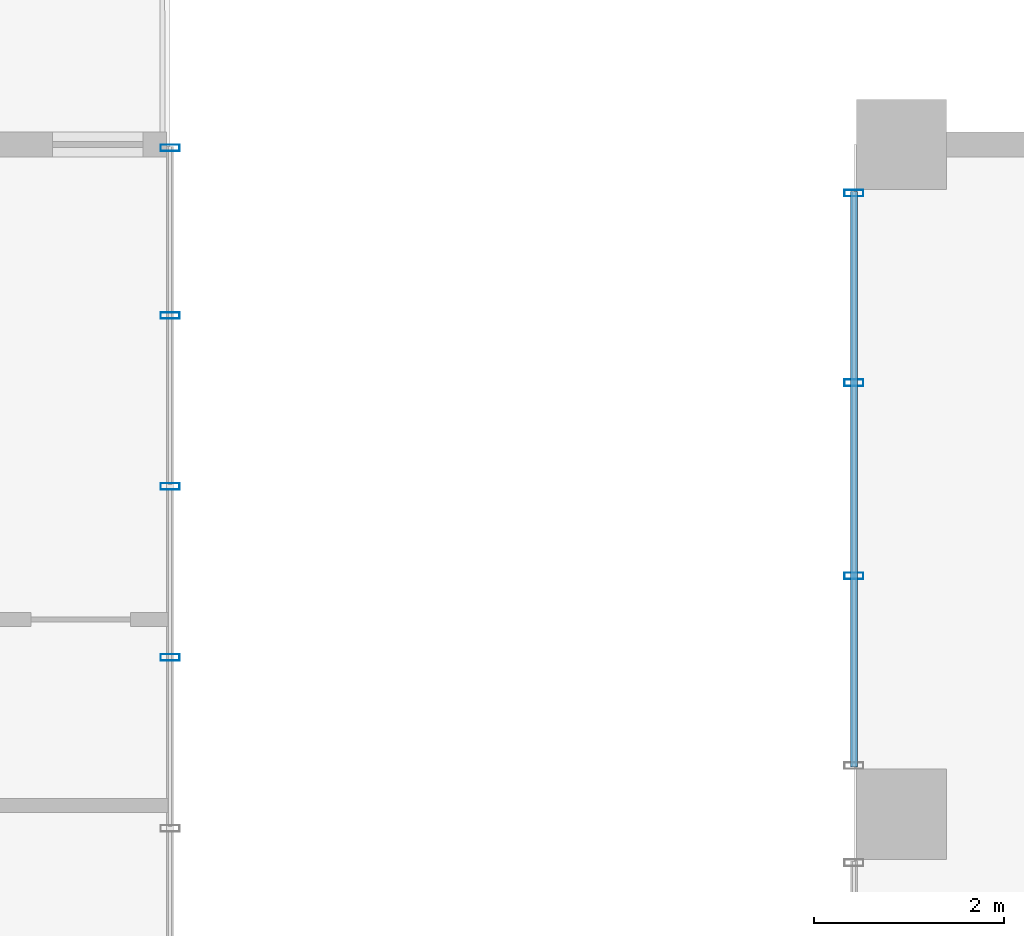
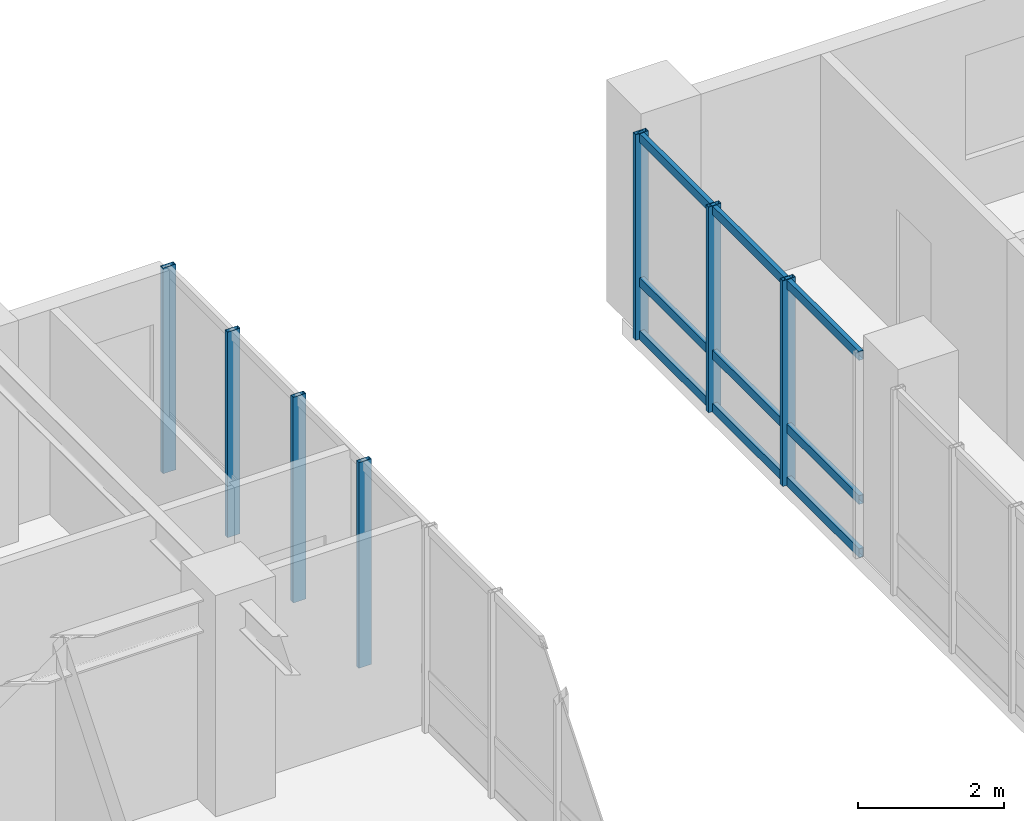
# One storey, part 14 of 24: 10 members, 2 elements without a shape of their own.
"""IFC4 building model written with IfcOpenShell, lengths in metres."""

from ifc_helpers import new_model, si_unit, direction, frame, origin, origin_2d, place, context, subcontext, project, spatial, hollow_rectangle, extrude, source, transform, mapped, material, layer, layer_set, material_profile, profile_set, type_object, element, aggregate, save


model = new_model("IFC4")

# Units and contexts
model_context = context("Model", 3, precision=1e-05, world=origin(), true_north=direction((0.0, 1.0)))
body_context = subcontext(model_context, "Body", "Model", "MODEL_VIEW")
ifc_project = project(units=[si_unit("LENGTHUNIT", "METRE"), si_unit("AREAUNIT", "SQUARE_METRE"), si_unit("VOLUMEUNIT", "CUBIC_METRE"), si_unit("PLANEANGLEUNIT", "RADIAN"), si_unit("MASSUNIT", "GRAM", prefix="KILO")], contexts=[model_context])

# Site, building, storey
site_placement = place(None, origin())
site = spatial("IfcSite", under=ifc_project, at=site_placement, CompositionType="ELEMENT")
building_placement = place(site_placement, origin())
building = spatial("IfcBuilding", under=site, at=building_placement, Name="Kaliganga Portal Commons", CompositionType="ELEMENT")
storey_placement = place(building_placement, frame((0.0, 0.0, 238.800048828125)))
storey = spatial("IfcBuildingStorey", under=building, at=storey_placement, Name="L61", CompositionType="ELEMENT", Elevation=238.800048828125)

# Curtain wall, members
ifc_material_1 = material(Name="Anodized Aluminium and Laminated Low-E Glass", Category="aluminium")
ifc_layer = layer(ifc_material_1, 0.239990234375)
ifc_layer_set = layer_set([ifc_layer], Name="Anodized Aluminium and Laminated Low-E Glass")
curtain_wall_type = type_object("IfcCurtainWallType", Name="CW-SYS-04", PredefinedType="NOTDEFINED", material=ifc_layer_set)
curtain_wall_1_placement = place(storey_placement, origin())
curtain_wall_1 = element("IfcCurtainWall", 1, at=curtain_wall_1_placement, inside=storey, type_object=curtain_wall_type, Name="CW 04 L61 P1E01S1", PredefinedType="NOTDEFINED")
ifc_material_2 = material(Name="Dark Bronze Anodized Aluminium", Category="aluminium")
ifc_material_profile_1 = material_profile(ifc_material_2, hollow_rectangle(XDim=0.070068359375, YDim=0.199951171875, WallThickness=0.00390625, at=origin_2d()), Name="ALU MULL 70x200x4")
ifc_profile_set_1 = profile_set([ifc_material_profile_1], Name="Dark Bronze Anodized Aluminium")
member_type_1 = type_object("IfcMemberType", Name="CW-MUL-220", PredefinedType="MULLION", material=ifc_profile_set_1)
shared_shape_1 = source(origin(), body_context, "Body", "SweptSolid", [
    extrude(hollow_rectangle(XDim=0.070068359375, YDim=0.199951171875, WallThickness=0.00390625, at=origin_2d()), origin(), (0.0, 0.0, 1.0), 3.43994140625),
])
member_1_placement = place(storey_placement, frame((39.10009765625, 37.800048828125, 0.0), z_axis=(0.0, 0.0, 1.0), x_axis=(0.0, 1.0, 0.0)))
member_1 = element("IfcMember", 2, at=member_1_placement, type_object=member_type_1, Name="CW:04:L61:P1E01S1 Mullion 09", PredefinedType="MULLION", context=body_context, shape_type="MappedRepresentation", body=[
    mapped(shared_shape_1, transform((0.0, 0.0, 0.0), x_axis=(1.0, 0.0, 0.0), y_axis=(0.0, 1.0, 0.0), z_axis=(0.0, 0.0, 1.0), scale=1.0)),
])
member_2_placement = place(storey_placement, frame((39.10009765625, 39.60009765625, 0.0), z_axis=(0.0, 0.0, 1.0), x_axis=(0.0, 1.0, 0.0)))
member_2 = element("IfcMember", 3, at=member_2_placement, type_object=member_type_1, Name="CW:04:L61:P1E01S1 Mullion 10", PredefinedType="MULLION", context=body_context, shape_type="MappedRepresentation", body=[
    mapped(shared_shape_1, transform((0.0, 0.0, 0.0), x_axis=(1.0, 0.0, 0.0), y_axis=(0.0, 1.0, 0.0), z_axis=(0.0, 0.0, 1.0), scale=1.0)),
])
member_3_placement = place(storey_placement, frame((39.10009765625, 41.39990234375, 0.0), z_axis=(0.0, 0.0, 1.0), x_axis=(0.0, 1.0, 0.0)))
member_3 = element("IfcMember", 4, at=member_3_placement, type_object=member_type_1, Name="CW:04:L61:P1E01S1 Mullion 11", PredefinedType="MULLION", context=body_context, shape_type="MappedRepresentation", body=[
    mapped(shared_shape_1, transform((0.0, 0.0, 0.0), x_axis=(1.0, 0.0, 0.0), y_axis=(0.0, 1.0, 0.0), z_axis=(0.0, 0.0, 1.0), scale=1.0)),
])
member_4_placement = place(storey_placement, frame((39.10009765625, 43.1650390625, 0.0), z_axis=(0.0, 0.0, 1.0), x_axis=(0.0, 1.0, 0.0)))
member_4 = element("IfcMember", 5, at=member_4_placement, type_object=member_type_1, Name="CW:04:L61:P1E01S1 Mullion 12", PredefinedType="MULLION", context=body_context, shape_type="MappedRepresentation", body=[
    mapped(shared_shape_1, transform((0.0, 0.0, 0.0), x_axis=(1.0, 0.0, 0.0), y_axis=(0.0, 1.0, 0.0), z_axis=(0.0, 0.0, 1.0), scale=1.0)),
])
aggregate(curtain_wall_1, [member_1, member_2, member_3, member_4])

curtain_wall_2_placement = place(storey_placement, origin())
curtain_wall_2 = element("IfcCurtainWall", 6, at=curtain_wall_2_placement, inside=storey, type_object=curtain_wall_type, Name="CW 04 L61 P2E03S1", PredefinedType="NOTDEFINED")
member_5_placement = place(storey_placement, frame((46.300048828125, 42.68896484375, 0.0), z_axis=(0.0, 0.0, 1.0), x_axis=(0.0, -1.0, 0.0)))
member_5 = element("IfcMember", 7, at=member_5_placement, type_object=member_type_1, Name="CW:04:L61:P2E03S1 Mullion 00", PredefinedType="MULLION", context=body_context, shape_type="MappedRepresentation", body=[
    mapped(shared_shape_1, transform((0.0, 0.0, 0.0), x_axis=(1.0, 0.0, 0.0), y_axis=(0.0, 1.0, 0.0), z_axis=(0.0, 0.0, 1.0), scale=1.0)),
])
member_6_placement = place(storey_placement, frame((46.300048828125, 40.69140625, 0.0), z_axis=(0.0, 0.0, 1.0), x_axis=(0.0, -1.0, 0.0)))
member_6 = element("IfcMember", 8, at=member_6_placement, type_object=member_type_1, Name="CW:04:L61:P2E03S1 Mullion 01", PredefinedType="MULLION", context=body_context, shape_type="MappedRepresentation", body=[
    mapped(shared_shape_1, transform((0.0, 0.0, 0.0), x_axis=(1.0, 0.0, 0.0), y_axis=(0.0, 1.0, 0.0), z_axis=(0.0, 0.0, 1.0), scale=1.0)),
])
member_7_placement = place(storey_placement, frame((46.300048828125, 38.65869140625, 0.0), z_axis=(0.0, 0.0, 1.0), x_axis=(0.0, -1.0, 0.0)))
member_7 = element("IfcMember", 9, at=member_7_placement, type_object=member_type_1, Name="CW:04:L61:P2E03S1 Mullion 02", PredefinedType="MULLION", context=body_context, shape_type="MappedRepresentation", body=[
    mapped(shared_shape_1, transform((0.0, 0.0, 0.0), x_axis=(1.0, 0.0, 0.0), y_axis=(0.0, 1.0, 0.0), z_axis=(0.0, 0.0, 1.0), scale=1.0)),
])
ifc_material_profile_2 = material_profile(ifc_material_2, hollow_rectangle(XDim=0.070068359375, YDim=0.14990234375, WallThickness=0.00341796875, at=origin_2d()), Name="ALU TRAN 70x150x3.5")
ifc_profile_set_2 = profile_set([ifc_material_profile_2], Name="Dark Bronze Anodized Aluminium")
member_type_2 = type_object("IfcMemberType", Name="CW-TRN-150", PredefinedType="USERDEFINED", material=ifc_profile_set_2)
shared_shape_2 = source(origin(), body_context, "Body", "SweptSolid", [
    extrude(hollow_rectangle(XDim=0.070068359375, YDim=0.14990234375, WallThickness=0.00341796875, at=origin_2d()), origin(), (0.0, 0.0, 1.0), 6.05810546875),
])
member_8_placement = place(storey_placement, frame((46.300048828125, 42.7041015625, 0.06005859375), z_axis=(0.0, -1.0, 0.0), x_axis=(1.0, 0.0, 0.0)))
member_8 = element("IfcMember", 10, at=member_8_placement, type_object=member_type_2, Name="CW:04:L61:P2E03S1 Transom 1", ObjectType="TRANSOM", PredefinedType="USERDEFINED", context=body_context, shape_type="MappedRepresentation", body=[
    mapped(shared_shape_2, transform((0.0, 0.0, 0.0), x_axis=(1.0, 0.0, 0.0), y_axis=(0.0, 1.0, 0.0), z_axis=(0.0, 0.0, 1.0), scale=1.0)),
])
member_9_placement = place(storey_placement, frame((46.300048828125, 42.7041015625, 0.949951171875), z_axis=(0.0, -1.0, 0.0), x_axis=(1.0, 0.0, 0.0)))
member_9 = element("IfcMember", 11, at=member_9_placement, type_object=member_type_2, Name="CW:04:L61:P2E03S1 Transom 2", ObjectType="TRANSOM", PredefinedType="USERDEFINED", context=body_context, shape_type="MappedRepresentation", body=[
    mapped(shared_shape_2, transform((0.0, 0.0, 0.0), x_axis=(1.0, 0.0, 0.0), y_axis=(0.0, 1.0, 0.0), z_axis=(0.0, 0.0, 1.0), scale=1.0)),
])
member_10_placement = place(storey_placement, frame((46.300048828125, 42.7041015625, 3.35986328125), z_axis=(0.0, -1.0, 0.0), x_axis=(1.0, 0.0, 0.0)))
member_10 = element("IfcMember", 12, at=member_10_placement, type_object=member_type_2, Name="CW:04:L61:P2E03S1 Transom 3", ObjectType="TRANSOM", PredefinedType="USERDEFINED", context=body_context, shape_type="MappedRepresentation", body=[
    mapped(shared_shape_2, transform((0.0, 0.0, 0.0), x_axis=(1.0, 0.0, 0.0), y_axis=(0.0, 1.0, 0.0), z_axis=(0.0, 0.0, 1.0), scale=1.0)),
])
aggregate(curtain_wall_2, [member_5, member_6, member_7, member_8, member_9, member_10])

save(model, "model.ifc")
